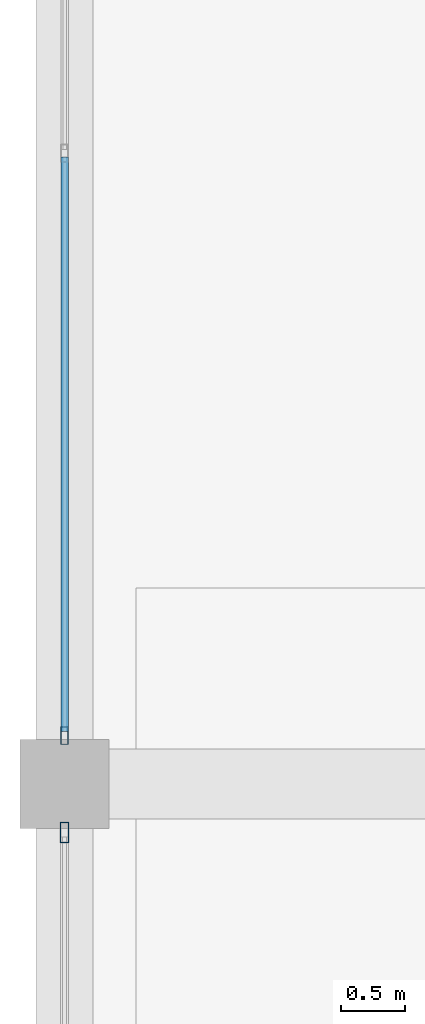
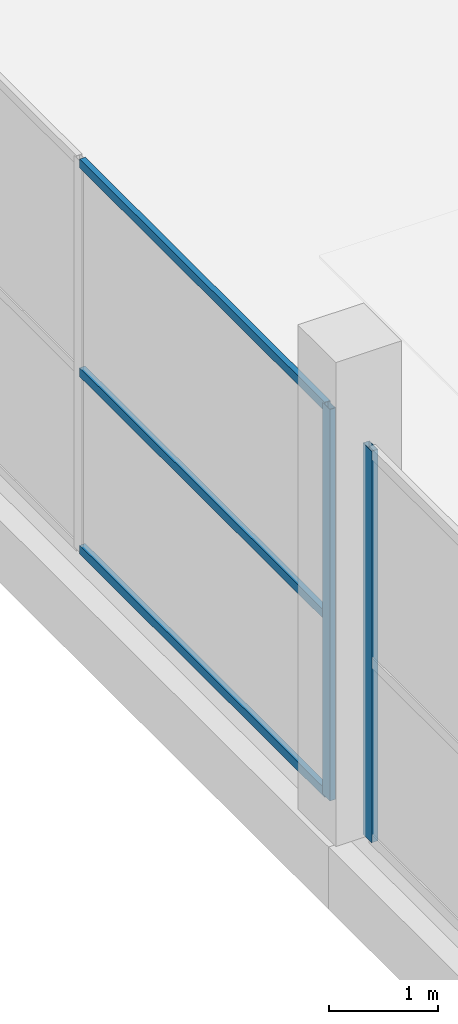
# One storey, part 18 of 74: 5 members, 2 elements without a shape of their own.
"""IFC4 building model written with IfcOpenShell, lengths in metres."""

from ifc_helpers import new_model, si_unit, direction, frame, origin, origin_2d, place, context, subcontext, project, spatial, hollow_rectangle, extrude, material, layer, layer_set, material_profile, profile_set, type_object, element, aggregate, save


model = new_model("IFC4")

# Units and contexts
model_context = context("Model", 3, precision=1e-05, world=origin(), true_north=direction((0.0, 1.0)))
body_context = subcontext(model_context, "Body", "Model", "MODEL_VIEW")
ifc_project = project(units=[si_unit("LENGTHUNIT", "METRE"), si_unit("AREAUNIT", "SQUARE_METRE"), si_unit("VOLUMEUNIT", "CUBIC_METRE"), si_unit("PLANEANGLEUNIT", "RADIAN"), si_unit("MASSUNIT", "GRAM", prefix="KILO")], contexts=[model_context])

# Site, building, storey
site_placement = place(None, origin())
site = spatial("IfcSite", under=ifc_project, at=site_placement, CompositionType="ELEMENT")
building_placement = place(site_placement, origin())
building = spatial("IfcBuilding", under=site, at=building_placement, Name="Sillaruma Civic Art Gallery", CompositionType="ELEMENT")
storey_placement = place(building_placement, frame((0.0, 0.0, 5.43994140625)))
storey = spatial("IfcBuildingStorey", under=building, at=storey_placement, Name="L01", CompositionType="ELEMENT", Elevation=5.43994140625)

# Curtain wall, member
ifc_material = material(Name="Thermally Broken Extruded Aluminium 6063-T6", Category="aluminium")
ifc_layer_1 = layer(ifc_material, 0.139892578125, Name="Thermally Broken Extruded Aluminium 6063-T6")
ifc_layer_set_1 = layer_set([ifc_layer_1], Name="Thermally Broken Extruded Aluminium 6063-T6")
curtain_wall_type_1 = type_object("IfcCurtainWallType", Name="CW-UNI-08", PredefinedType="NOTDEFINED", material=ifc_layer_set_1)
curtain_wall_1_placement = place(storey_placement, origin())
curtain_wall_1 = element("IfcCurtainWall", 1, at=curtain_wall_1_placement, inside=storey, type_object=curtain_wall_type_1, Name="Unitised Curtain Wall CW-08 (CW-L01-WSTR-2)", PredefinedType="NOTDEFINED")
ifc_material_profile_1 = material_profile(ifc_material, hollow_rectangle(XDim=0.06005859375, YDim=0.139892578125, WallThickness=0.00341796875, at=origin_2d()), Name="CWM60x140")
ifc_profile_set_1 = profile_set([ifc_material_profile_1], Name="Thermally Broken Extruded Aluminium 6063-T6")
member_type_1 = type_object("IfcMemberType", Name="MEM-MUL-CWM60x140", PredefinedType="MULLION", material=ifc_profile_set_1)
member_1_placement = place(storey_placement, frame((0.0, 89.47998046875, 0.0), z_axis=(0.0, 0.0, 1.0), x_axis=(-1.0, 0.0, 0.0)))
member_1 = element("IfcMember", 2, at=member_1_placement, type_object=member_type_1, Name="CW-08 mullion 1", PredefinedType="MULLION", context=body_context, shape_type="SweptSolid", body=[
    extrude(hollow_rectangle(XDim=0.06005859375, YDim=0.139892578125, WallThickness=0.00341796875, at=origin_2d()), origin(), (0.0, 0.0, 1.0), 4.400146484375),
])

ifc_layer_2 = layer(ifc_material, 0.159912109375, Name="Thermally Broken Extruded Aluminium 6063-T6")
ifc_layer_set_2 = layer_set([ifc_layer_2], Name="Thermally Broken Extruded Aluminium 6063-T6")
curtain_wall_type_2 = type_object("IfcCurtainWallType", Name="CW-UNI-07", PredefinedType="NOTDEFINED", material=ifc_layer_set_2)
curtain_wall_2_placement = place(storey_placement, origin())
curtain_wall_2 = element("IfcCurtainWall", 3, at=curtain_wall_2_placement, inside=storey, type_object=curtain_wall_type_2, Name="Unitised Curtain Wall CW-07 (CW-L01-WSTR-1)", PredefinedType="NOTDEFINED")
ifc_material_profile_2 = material_profile(ifc_material, hollow_rectangle(XDim=0.06494140625, YDim=0.159912109375, WallThickness=0.00390625, at=origin_2d()), Name="CWM65x160")
ifc_profile_set_2 = profile_set([ifc_material_profile_2], Name="Thermally Broken Extruded Aluminium 6063-T6")
member_type_2 = type_object("IfcMemberType", Name="MEM-MUL-CWM65x160", PredefinedType="MULLION", material=ifc_profile_set_2)
member_2_placement = place(storey_placement, frame((0.0, 88.717529296875, 0.0), z_axis=(0.0, 0.0, 1.0), x_axis=(-1.0, 0.0, 0.0)))
member_2 = element("IfcMember", 4, at=member_2_placement, type_object=member_type_2, Name="CW-07 mullion 3", PredefinedType="MULLION", context=body_context, shape_type="SweptSolid", body=[
    extrude(hollow_rectangle(XDim=0.06494140625, YDim=0.159912109375, WallThickness=0.00390625, at=origin_2d()), origin(), (0.0, 0.0, 1.0), 4.400146484375),
])
aggregate(curtain_wall_2, [member_2])

# Member
ifc_material_profile_3 = material_profile(ifc_material, hollow_rectangle(XDim=0.06005859375, YDim=0.10009765625, WallThickness=0.003173828125, at=origin_2d()), Name="CWT60x100")
ifc_profile_set_3 = profile_set([ifc_material_profile_3], Name="Thermally Broken Extruded Aluminium 6063-T6")
member_type_3 = type_object("IfcMemberType", Name="MEM-TRN-CWT60x100", PredefinedType="USERDEFINED", material=ifc_profile_set_3)
member_3_placement = place(storey_placement, frame((0.0, 89.510009765625, 0.030029296875), z_axis=(0.0, 1.0, 0.0), x_axis=(-1.0, 0.0, 0.0)))
member_3 = element("IfcMember", 5, at=member_3_placement, type_object=member_type_3, Name="CW-08 transom 1.1", ObjectType="TRANSOM", PredefinedType="USERDEFINED", context=body_context, shape_type="SweptSolid", body=[
    extrude(hollow_rectangle(XDim=0.06005859375, YDim=0.10009765625, WallThickness=0.003173828125, at=origin_2d()), origin(), (0.0, 0.0, 1.0), 4.510009765625),
])

member_4_placement = place(storey_placement, frame((0.0, 89.510009765625, 2.024169921875), z_axis=(0.0, 1.0, 0.0), x_axis=(-1.0, 0.0, 0.0)))
member_4 = element("IfcMember", 6, at=member_4_placement, type_object=member_type_3, Name="CW-08 transom 1.2", ObjectType="TRANSOM", PredefinedType="USERDEFINED", context=body_context, shape_type="SweptSolid", body=[
    extrude(hollow_rectangle(XDim=0.06005859375, YDim=0.10009765625, WallThickness=0.003173828125, at=origin_2d()), origin(), (0.0, 0.0, 1.0), 4.510009765625),
])

member_5_placement = place(storey_placement, frame((0.0, 89.510009765625, 4.3701171875), z_axis=(0.0, 1.0, 0.0), x_axis=(-1.0, 0.0, 0.0)))
member_5 = element("IfcMember", 7, at=member_5_placement, type_object=member_type_3, Name="CW-08 transom 1.3", ObjectType="TRANSOM", PredefinedType="USERDEFINED", context=body_context, shape_type="SweptSolid", body=[
    extrude(hollow_rectangle(XDim=0.06005859375, YDim=0.10009765625, WallThickness=0.003173828125, at=origin_2d()), origin(), (0.0, 0.0, 1.0), 4.510009765625),
])

aggregate(curtain_wall_1, [member_1, member_3, member_4, member_5])

save(model, "model.ifc")
